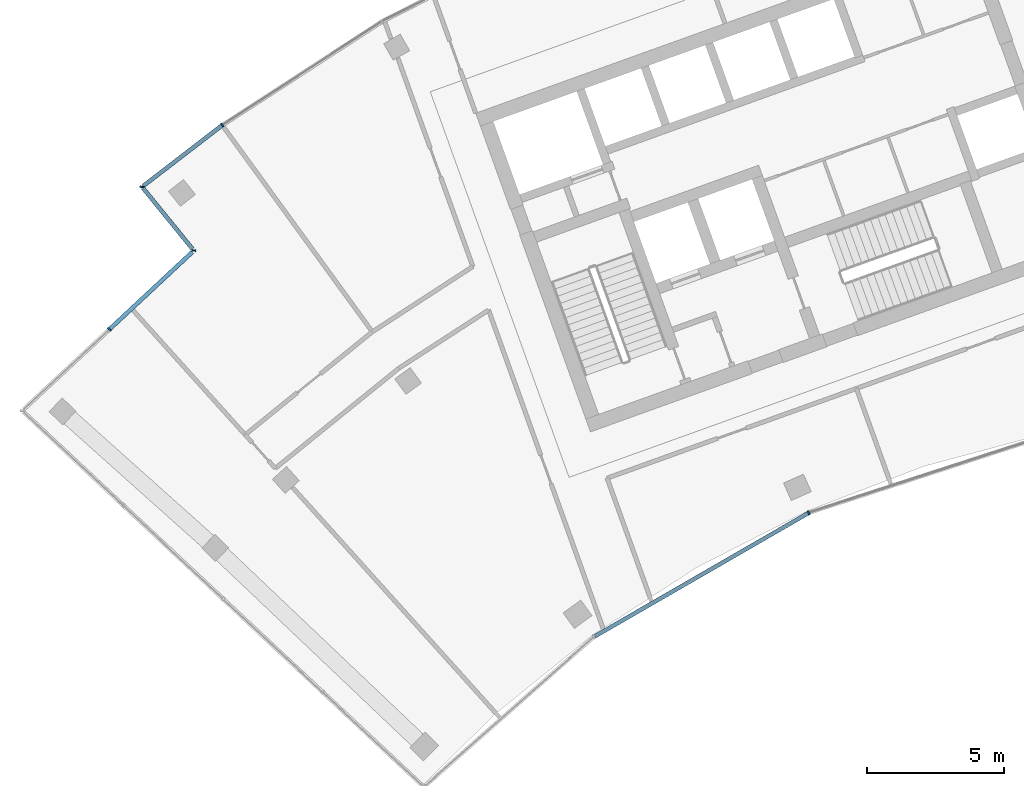
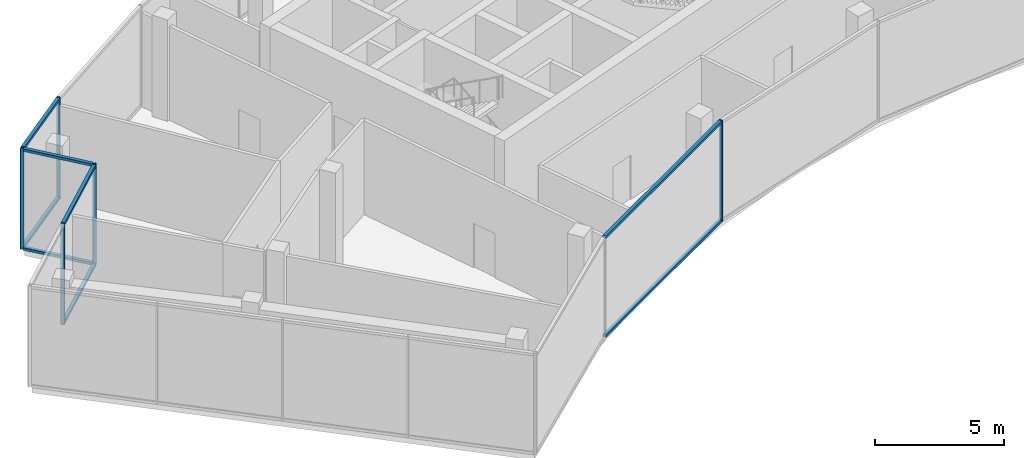
# One storey, part 3 of 17: 13 members, 4 elements without a shape of their own.
"""IFC4 building model written with IfcOpenShell, lengths in metres."""

from ifc_helpers import new_model, si_unit, direction, frame, origin, origin_2d, place, context, subcontext, project, spatial, rectangle, extrude, material, layer, layer_set, material_profile, profile_set, type_object, element, aggregate, save


model = new_model("IFC4")

# Units and contexts
model_context = context("Model", 3, precision=1e-05, world=origin(), true_north=direction((0.0, 1.0)))
body_context = subcontext(model_context, "Body", "Model", "MODEL_VIEW")
ifc_project = project(units=[si_unit("LENGTHUNIT", "METRE"), si_unit("AREAUNIT", "SQUARE_METRE"), si_unit("VOLUMEUNIT", "CUBIC_METRE"), si_unit("PLANEANGLEUNIT", "RADIAN"), si_unit("MASSUNIT", "GRAM", prefix="KILO")], contexts=[model_context])

# Site, building, storey
site_placement = place(None, origin())
site = spatial("IfcSite", under=ifc_project, at=site_placement, CompositionType="ELEMENT")
building_placement = place(site_placement, origin())
building = spatial("IfcBuilding", under=site, at=building_placement, Name="Stone Belt Terrace Tower", CompositionType="ELEMENT")
storey_placement = place(building_placement, frame((0.0, 0.0, 313.39990234375)))
storey = spatial("IfcBuildingStorey", under=building, at=storey_placement, Name="L76", CompositionType="ELEMENT", Elevation=313.39990234375)

# Curtain wall, member
ifc_material = material(Name="Aluminium 6063-T6 anodised frame", Category="aluminium")
ifc_layer = layer(ifc_material, 0.14990234375)
ifc_layer_set = layer_set([ifc_layer], Name="CW-C stick curtain wall, horn ends and notches")
curtain_wall_type = type_object("IfcCurtainWallType", Name="CW-C stick curtain wall, horn ends and notches", PredefinedType="NOTDEFINED", material=ifc_layer_set)
curtain_wall_1_placement = place(storey_placement, origin())
curtain_wall_1 = element("IfcCurtainWall", 1, at=curtain_wall_1_placement, inside=storey, type_object=curtain_wall_type, Name="CW-C concave face L76", PredefinedType="NOTDEFINED")
ifc_material_profile_1 = material_profile(ifc_material, rectangle(XDim=0.14990234375, YDim=0.06005859375, at=origin_2d()), Name="Aluminium 6063-T6 60x150")
ifc_profile_set_1 = profile_set([ifc_material_profile_1], Name="Aluminium 6063-T6 anodised frame")
member_type_1 = type_object("IfcMemberType", Name="CW-C mullion 60 x 150", PredefinedType="MULLION", material=ifc_profile_set_1)
member_1_placement = place(storey_placement, frame((-17.662353515625, 39.67041015625, 0.0), z_axis=(0.0, 0.0, 1.0), x_axis=(-0.406736643076, 0.913545457643, 0.0)))
member_1 = element("IfcMember", 2, at=member_1_placement, type_object=member_type_1, Name="CW-C mullion 3", PredefinedType="MULLION", context=body_context, shape_type="SweptSolid", body=[
    extrude(rectangle(XDim=0.14990234375, YDim=0.06005859375, at=origin_2d()), origin(), (0.0, 0.0, 1.0), 4.800048828125),
])

curtain_wall_2_placement = place(storey_placement, origin())
curtain_wall_2 = element("IfcCurtainWall", 3, at=curtain_wall_2_placement, inside=storey, type_object=curtain_wall_type, Name="CW-C convex face L76", PredefinedType="NOTDEFINED")
member_2_placement = place(storey_placement, frame((-39.131103515625, 53.86083984375, 0.0), z_axis=(0.0, 0.0, 1.0), x_axis=(0.577587125789, -0.816329046477, 0.0)))
member_2 = element("IfcMember", 4, at=member_2_placement, type_object=member_type_1, Name="CW-C mullion 14", PredefinedType="MULLION", context=body_context, shape_type="SweptSolid", body=[
    extrude(rectangle(XDim=0.14990234375, YDim=0.06005859375, at=origin_2d()), origin(), (0.0, 0.0, 1.0), 4.800048828125),
])

curtain_wall_3_placement = place(storey_placement, origin())
curtain_wall_3 = element("IfcCurtainWall", 5, at=curtain_wall_3_placement, inside=storey, type_object=curtain_wall_type, Name="CW-C notch face L76", PredefinedType="NOTDEFINED")
member_3_placement = place(storey_placement, frame((-42.068359375, 51.60205078125, 0.0), z_axis=(0.0, 0.0, 1.0), x_axis=(0.993258004644, -0.115924700604, 0.0)))
member_3 = element("IfcMember", 6, at=member_3_placement, type_object=member_type_1, Name="CW-C mullion 1", PredefinedType="MULLION", context=body_context, shape_type="SweptSolid", body=[
    extrude(rectangle(XDim=0.14990234375, YDim=0.06005859375, at=origin_2d()), origin(), (0.0, 0.0, 1.0), 4.800048828125),
])

# Curtain wall, members
curtain_wall_4_placement = place(storey_placement, origin())
curtain_wall_4 = element("IfcCurtainWall", 7, at=curtain_wall_4_placement, inside=storey, type_object=curtain_wall_type, Name="CW-C notch face L76", PredefinedType="NOTDEFINED")
member_4_placement = place(storey_placement, frame((-40.1708984375, 49.269287109375, 0.0), z_axis=(0.0, 0.0, 1.0), x_axis=(0.997639702696, -0.068666029474, 0.0)))
member_4 = element("IfcMember", 8, at=member_4_placement, type_object=member_type_1, Name="CW-C mullion 1", PredefinedType="MULLION", context=body_context, shape_type="SweptSolid", body=[
    extrude(rectangle(XDim=0.14990234375, YDim=0.06005859375, at=origin_2d()), origin(), (0.0, 0.0, 1.0), 4.800048828125),
])
member_5_placement = place(storey_placement, frame((-43.260009765625, 46.388671875, 0.0), z_axis=(0.0, 0.0, 1.0), x_axis=(0.682013767261, -0.731339333871, 0.0)))
member_5 = element("IfcMember", 9, at=member_5_placement, type_object=member_type_1, Name="CW-C mullion 2", PredefinedType="MULLION", context=body_context, shape_type="SweptSolid", body=[
    extrude(rectangle(XDim=0.14990234375, YDim=0.06005859375, at=origin_2d()), origin(), (0.0, 0.0, 1.0), 4.800048828125),
])

# Member
ifc_material_profile_2 = material_profile(ifc_material, rectangle(XDim=0.14990234375, YDim=0.1201171875, at=origin_2d()), Name="Aluminium 6063-T6 150x120")
ifc_profile_set_2 = profile_set([ifc_material_profile_2], Name="Aluminium 6063-T6 anodised frame")
member_type_2 = type_object("IfcMemberType", Name="CW-C transom 120 x 150", PredefinedType="USERDEFINED", material=ifc_profile_set_2)
member_6_placement = place(storey_placement, frame((-25.492431640625, 35.149658203125, 0.06005859375), z_axis=(0.866018510292, 0.500011939689, 0.0), x_axis=(-0.500011939689, 0.866018510292, 0.0)))
member_6 = element("IfcMember", 10, at=member_6_placement, type_object=member_type_2, Name="CW-C transom 2.1", ObjectType="TRANSOM", PredefinedType="USERDEFINED", context=body_context, shape_type="SweptSolid", body=[
    extrude(rectangle(XDim=0.14990234375, YDim=0.1201171875, at=origin_2d()), origin(), (0.0, 0.0, 1.0), 9.003662109375),
])

member_7_placement = place(storey_placement, frame((-25.492431640625, 35.149658203125, 4.739990234375), z_axis=(0.866018510292, 0.500011939689, 0.0), x_axis=(-0.500011939689, 0.866018510292, 0.0)))
member_7 = element("IfcMember", 11, at=member_7_placement, type_object=member_type_2, Name="CW-C transom 2.2", ObjectType="TRANSOM", PredefinedType="USERDEFINED", context=body_context, shape_type="SweptSolid", body=[
    extrude(rectangle(XDim=0.14990234375, YDim=0.1201171875, at=origin_2d()), origin(), (0.0, 0.0, 1.0), 9.003662109375),
])

aggregate(curtain_wall_1, [member_1, member_6, member_7])

member_8_placement = place(storey_placement, frame((-39.1572265625, 53.8408203125, 0.06005859375), z_axis=(-0.79269461464, -0.609618936648, 0.0), x_axis=(0.609618936648, -0.79269461464, 0.0)))
member_8 = element("IfcMember", 12, at=member_8_placement, type_object=member_type_2, Name="CW-C transom 14.1", ObjectType="TRANSOM", PredefinedType="USERDEFINED", context=body_context, shape_type="SweptSolid", body=[
    extrude(rectangle(XDim=0.14990234375, YDim=0.1201171875, at=origin_2d()), origin(), (0.0, 0.0, 1.0), 3.597900390625),
])

member_9_placement = place(storey_placement, frame((-39.1572265625, 53.8408203125, 4.739990234375), z_axis=(-0.79269461464, -0.609618936648, 0.0), x_axis=(0.609618936648, -0.79269461464, 0.0)))
member_9 = element("IfcMember", 13, at=member_9_placement, type_object=member_type_2, Name="CW-C transom 14.2", ObjectType="TRANSOM", PredefinedType="USERDEFINED", context=body_context, shape_type="SweptSolid", body=[
    extrude(rectangle(XDim=0.14990234375, YDim=0.1201171875, at=origin_2d()), origin(), (0.0, 0.0, 1.0), 3.597900390625),
])

aggregate(curtain_wall_2, [member_2, member_8, member_9])

member_10_placement = place(storey_placement, frame((-42.021240234375, 51.5439453125, 0.06005859375), z_axis=(0.631026504781, -0.775761271439, 0.0), x_axis=(0.775761271439, 0.631026504781, 0.0)))
member_10 = element("IfcMember", 14, at=member_10_placement, type_object=member_type_2, Name="CW-C transom 1.1", ObjectType="TRANSOM", PredefinedType="USERDEFINED", context=body_context, shape_type="SweptSolid", body=[
    extrude(rectangle(XDim=0.14990234375, YDim=0.1201171875, at=origin_2d()), origin(), (0.0, 0.0, 1.0), 2.859130859375),
])

member_11_placement = place(storey_placement, frame((-42.021240234375, 51.5439453125, 4.739990234375), z_axis=(0.631026504781, -0.775761271439, 0.0), x_axis=(0.775761271439, 0.631026504781, 0.0)))
member_11 = element("IfcMember", 15, at=member_11_placement, type_object=member_type_2, Name="CW-C transom 1.2", ObjectType="TRANSOM", PredefinedType="USERDEFINED", context=body_context, shape_type="SweptSolid", body=[
    extrude(rectangle(XDim=0.14990234375, YDim=0.1201171875, at=origin_2d()), origin(), (0.0, 0.0, 1.0), 2.859130859375),
])

aggregate(curtain_wall_3, [member_3, member_10, member_11])

member_12_placement = place(storey_placement, frame((-40.224365234375, 49.21923828125, 0.06005859375), z_axis=(-0.731382255625, -0.681967738355, 0.0), x_axis=(0.681967738355, -0.731382255625, 0.0)))
member_12 = element("IfcMember", 16, at=member_12_placement, type_object=member_type_2, Name="CW-C transom 1.1", ObjectType="TRANSOM", PredefinedType="USERDEFINED", context=body_context, shape_type="SweptSolid", body=[
    extrude(rectangle(XDim=0.14990234375, YDim=0.1201171875, at=origin_2d()), origin(), (0.0, 0.0, 1.0), 4.12060546875),
])

member_13_placement = place(storey_placement, frame((-40.224365234375, 49.21923828125, 4.739990234375), z_axis=(-0.731382255625, -0.681967738355, 0.0), x_axis=(0.681967738355, -0.731382255625, 0.0)))
member_13 = element("IfcMember", 17, at=member_13_placement, type_object=member_type_2, Name="CW-C transom 1.2", ObjectType="TRANSOM", PredefinedType="USERDEFINED", context=body_context, shape_type="SweptSolid", body=[
    extrude(rectangle(XDim=0.14990234375, YDim=0.1201171875, at=origin_2d()), origin(), (0.0, 0.0, 1.0), 4.12060546875),
])

aggregate(curtain_wall_4, [member_4, member_5, member_12, member_13])

save(model, "model.ifc")
